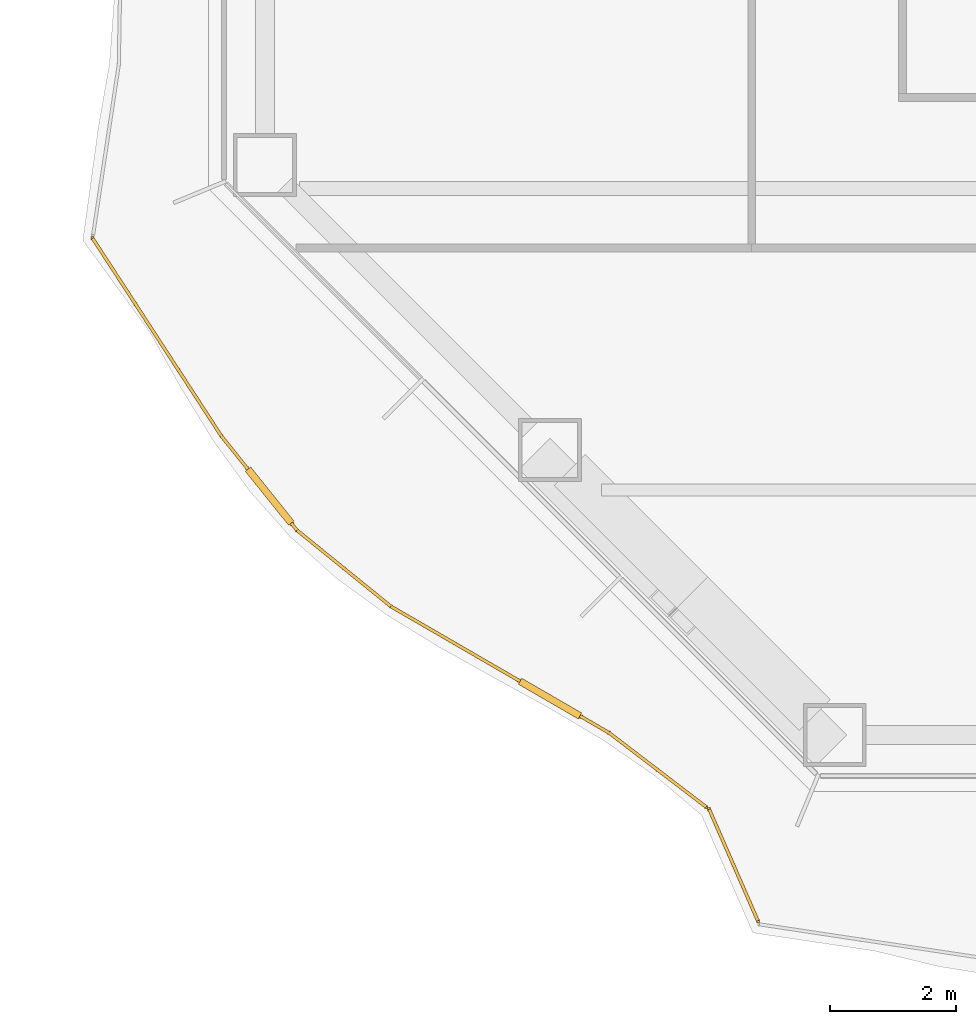
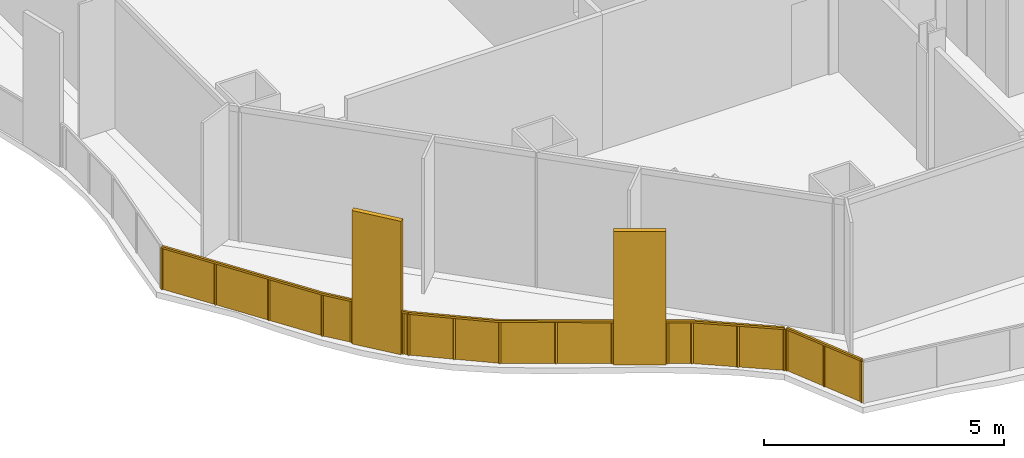
# One storey, part 15 of 21: 2 railings.
"""IFC4 building model written with IfcOpenShell, lengths in metres."""

import ifcopenshell
import ifcopenshell.guid

model = None  # the IFC model being written
_history = None  # IfcOwnerHistory: only IFC2X3 demands one
_inside = {}  # id of a spatial element -> (the spatial element, [elements in it])
_under = {}  # id of a project, library or spatial element -> (it, [spatial elements below it])
_declared = {}  # id of a project -> (the project, [libraries it declares])
_typed = {}  # id of a type object -> (the type object, [elements of that type])
_made_of = {}  # id of a material, layer set ... -> (it, [elements and type objects made of it])


def new_model(schema):
    """Start an empty IFC model of exactly this schema.

    Asked for "IFC4X3", IfcOpenShell would pick the latest addendum, in which some entities
    have other attributes; the version numbers below select the first issue.
    IFC2X3 requires an IfcOwnerHistory on every rooted entity: one is made here for all.
    """
    global model, _history
    if schema == "IFC4X3":
        model = ifcopenshell.file(schema_version=(4, 3, 0, 0))
    else:
        model = ifcopenshell.file(schema=schema)
    _inside.clear()
    _under.clear()
    _declared.clear()
    _typed.clear()
    _made_of.clear()
    _history = None
    if model.schema == "IFC2X3":
        org = make("IfcOrganization", Name="unknown")
        user = make(
            "IfcPersonAndOrganization",
            ThePerson=make("IfcPerson", FamilyName="unknown"),
            TheOrganization=org,
        )
        app = make(
            "IfcApplication",
            ApplicationDeveloper=org,
            Version="unknown",
            ApplicationFullName="unknown",
            ApplicationIdentifier="unknown",
        )
        _history = make(
            "IfcOwnerHistory",
            OwningUser=user,
            OwningApplication=app,
            ChangeAction="ADDED",
            CreationDate=0,
        )
    return model


def make(cls, **values):
    """One entity of the class cls with the attributes given. An attribute that is None is left unset."""
    return model.create_entity(
        cls, **{name: value for name, value in values.items() if value is not None}
    )


def rooted(cls, **values):
    """An entity with a GlobalId (a new one), such as an element, a storey or a relation."""
    return make(cls, GlobalId=ifcopenshell.guid.new(), OwnerHistory=_history, **values)


def si_unit(unit_type, name, prefix=None):
    """IfcSIUnit, for example si_unit("LENGTHUNIT", "METRE", prefix="MILLI")."""
    return make("IfcSIUnit", UnitType=unit_type, Prefix=prefix, Name=name)


def assignment(units):
    """IfcUnitAssignment: the units of a project."""
    return None if units is None else make("IfcUnitAssignment", Units=units)


def point(xyz):
    """IfcCartesianPoint."""
    return None if xyz is None else make("IfcCartesianPoint", Coordinates=xyz)


def direction(xyz):
    """IfcDirection."""
    return None if xyz is None else make("IfcDirection", DirectionRatios=xyz)


def frame(location, z_axis=None, x_axis=None):
    """IfcAxis2Placement3D, a coordinate frame: its origin and axes. An axis left out is left unset."""
    return make(
        "IfcAxis2Placement3D",
        Location=point(location),
        Axis=direction(z_axis),
        RefDirection=direction(x_axis),
    )


def frame_2d(location, x_axis=None):
    """IfcAxis2Placement2D, a coordinate frame in the plane: its origin and x axis."""
    return make(
        "IfcAxis2Placement2D", Location=point(location), RefDirection=direction(x_axis)
    )


def origin():
    """The frame at (0, 0, 0) with its axes left unset."""
    return frame((0.0, 0.0, 0.0))


def origin_2d():
    """The frame at (0, 0) in the plane with its x axis left unset."""
    return frame_2d((0.0, 0.0))


def place(relative_to, where):
    """IfcLocalPlacement: puts the frame where relative to a parent placement (None: the world)."""
    return make(
        "IfcLocalPlacement", PlacementRelTo=relative_to, RelativePlacement=where
    )


def context(
    kind, dimensions, precision=None, world=None, true_north=None, identifier=None
):
    """IfcGeometricRepresentationContext, for example the 3D "Model" context."""
    return make(
        "IfcGeometricRepresentationContext",
        ContextIdentifier=identifier,
        ContextType=kind,
        CoordinateSpaceDimension=dimensions,
        Precision=precision,
        WorldCoordinateSystem=world,
        TrueNorth=true_north,
    )


def subcontext(parent, identifier, kind, view, scale=None):
    """IfcGeometricRepresentationSubContext, for example "Body" below "Model"."""
    return make(
        "IfcGeometricRepresentationSubContext",
        ContextIdentifier=identifier,
        ContextType=kind,
        ParentContext=parent,
        TargetScale=scale,
        TargetView=view,
    )


def project(units=None, contexts=None):
    """IfcProject with its units and contexts."""
    return rooted(
        "IfcProject",
        Name="project",
        RepresentationContexts=contexts,
        UnitsInContext=assignment(units),
    )


def spatial(cls, under=None, at=None, **own):
    """A site, building, storey or space (cls), placed at a placement, below another one or the project."""
    s = rooted(cls, ObjectPlacement=at, **own)
    if under is not None:
        _under.setdefault(under.id(), (under, []))[1].append(s)
    return s


def polyline(points):
    """IfcPolyline through the points."""
    return make("IfcPolyline", Points=[point(p) for p in points])


def profile(cls, at=None, kind="AREA", **sizes):
    """A parametric profile (cls). Its sizes go by their IFC names, for example OverallWidth=200.0."""
    return make(cls, ProfileType=kind, Position=at, **sizes)


def rectangle(**sizes):
    """IfcRectangleProfileDef."""
    return profile("IfcRectangleProfileDef", **sizes)


def outline(outer, holes=None, kind="AREA"):
    """IfcArbitraryClosedProfileDef: a profile drawn as a closed curve; with holes, ...WithVoids."""
    if holes is None:
        return make("IfcArbitraryClosedProfileDef", ProfileType=kind, OuterCurve=outer)
    return make(
        "IfcArbitraryProfileDefWithVoids",
        ProfileType=kind,
        OuterCurve=outer,
        InnerCurves=holes,
    )


def extrude(swept, where, along, depth):
    """IfcExtrudedAreaSolid: the profile swept, set in the frame where, extruded along a direction by depth."""
    return make(
        "IfcExtrudedAreaSolid",
        SweptArea=swept,
        Position=where,
        ExtrudedDirection=direction(along),
        Depth=depth,
    )


def shape(context_of_items, identifier, shape_type, items):
    """IfcShapeRepresentation: the items that make up one representation, for example the "Body"."""
    return make(
        "IfcShapeRepresentation",
        ContextOfItems=context_of_items,
        RepresentationIdentifier=identifier,
        RepresentationType=shape_type,
        Items=items,
    )


def material(Name=None, Category=None):
    """IfcMaterial."""
    return make("IfcMaterial", Name=Name, Category=Category)


def made_of(thing, what):
    """Note that an element or type object is made of a material, layer set ...; save() writes the relation."""
    if what is not None:
        _made_of.setdefault(what.id(), (what, []))[1].append(thing)
    return thing


def type_object(cls, material=None, **own):
    """A type object (cls), such as IfcWallType, which elements share."""
    return made_of(rooted(cls, **own), material)


def element(
    cls,
    number,
    at=None,
    inside=None,
    cuts=None,
    type_object=None,
    material=None,
    context=None,
    identifier="Body",
    shape_type=None,
    held_by="IfcProductDefinitionShape",
    body=None,
    shapes=None,
    **own,
):
    """One element of the class cls, such as IfcWall. Its Tag is "e" and its number.

    at: its placement. inside: the storey or other place that contains it. cuts: it is an
    opening in that element (IfcRelVoidsElement). A single representation is given by context,
    identifier, shape_type and body (its items); several are given by shapes. held_by: the class
    of the entity that holds the representations. save() writes the other relations.
    """
    e = rooted(cls, Tag="e%d" % number, ObjectPlacement=at, **own)
    if body is not None:
        shapes = [shape(context, identifier, shape_type, body)]
    if shapes is not None:
        e.Representation = make(held_by, Representations=shapes)
    if inside is not None:
        _inside.setdefault(inside.id(), (inside, []))[1].append(e)
    if cuts is not None:
        rooted(
            "IfcRelVoidsElement", RelatingBuildingElement=cuts, RelatedOpeningElement=e
        )
    if type_object is not None:
        _typed.setdefault(type_object.id(), (type_object, []))[1].append(e)
    return made_of(e, material)


def aggregate(whole, parts):
    """IfcRelAggregates: a whole, such as a stair, and the parts it consists of."""
    return rooted("IfcRelAggregates", RelatingObject=whole, RelatedObjects=parts)


def save(model, path):
    """Write the relations noted so far, then the file.

    IfcRelAggregates (storeys below a building ...), IfcRelContainedInSpatialStructure (elements
    in a storey), IfcRelDefinesByType, IfcRelAssociatesMaterial and IfcRelDeclares: one each for
    every whole, place, type object, material and project.
    """
    for whole, parts in _under.values():
        aggregate(whole, parts)
    for where, things in _inside.values():
        rooted(
            "IfcRelContainedInSpatialStructure",
            RelatedElements=things,
            RelatingStructure=where,
        )
    for kind, things in _typed.values():
        rooted("IfcRelDefinesByType", RelatedObjects=things, RelatingType=kind)
    for what, things in _made_of.values():
        rooted("IfcRelAssociatesMaterial", RelatedObjects=things, RelatingMaterial=what)
    for by, libraries in _declared.values():
        rooted("IfcRelDeclares", RelatingContext=by, RelatedDefinitions=libraries)
    model.write(path)


model = new_model("IFC4")

# Units and contexts
model_context = context("Model", 3, precision=1e-05, world=origin(), true_north=direction((0.0, 1.0)))
body_context = subcontext(model_context, "Body", "Model", "MODEL_VIEW")
ifc_project = project(units=[si_unit("LENGTHUNIT", "METRE"), si_unit("AREAUNIT", "SQUARE_METRE"), si_unit("VOLUMEUNIT", "CUBIC_METRE"), si_unit("PLANEANGLEUNIT", "RADIAN"), si_unit("MASSUNIT", "GRAM", prefix="KILO")], contexts=[model_context])

# Site, building, storey
site_placement = place(None, origin())
site = spatial("IfcSite", under=ifc_project, at=site_placement, CompositionType="ELEMENT")
building_placement = place(site_placement, origin())
building = spatial("IfcBuilding", under=site, at=building_placement, Name="Cairn Pilgrim Tower", CompositionType="ELEMENT")
storey_placement = place(building_placement, frame((0.0, 0.0, 43.800048828125)))
storey = spatial("IfcBuildingStorey", under=building, at=storey_placement, Name="L08", CompositionType="ELEMENT", Elevation=43.800048828125)

# Railings
ifc_material_1 = material(Name="Bronze anodised aluminium rail and posts with laminated glass infill", Category="aluminium")
railing_type_1 = type_object("IfcRailingType", Name="BALCONY GUARD 1100", PredefinedType="GUARDRAIL", material=ifc_material_1)
railing_1_placement = place(storey_placement, frame((-20.827392578125, -24.2822265625, 0.0)))
element("IfcRailing", 1, at=railing_1_placement, inside=storey, type_object=railing_type_1, Name="Balcony guard BG-9", PredefinedType="GUARDRAIL", context=body_context, shape_type="SweptSolid", body=[
    extrude(rectangle(XDim=0.050048828125, YDim=0.050048828125, at=origin_2d()), frame((0.0, 0.0, 1.0751953125), z_axis=(0.40006562225, -0.916486496297, 0.0), x_axis=(0.916486496297, 0.40006562225, 0.0)), (0.0, 0.0, 1.0), 1.938720703125),
    extrude(rectangle(XDim=0.050048828125, YDim=0.050048828125, at=origin_2d()), origin(), (0.0, 0.0, 1.0), 1.050048828125),
    extrude(rectangle(XDim=0.050048828125, YDim=0.050048828125, at=origin_2d()), frame((0.3876953125, -0.888427734375, 0.0)), (0.0, 0.0, 1.0), 1.050048828125),
    extrude(rectangle(XDim=0.050048828125, YDim=0.050048828125, at=origin_2d()), frame((0.775634765625, -1.77685546875, 0.0)), (0.0, 0.0, 1.0), 1.050048828125),
    extrude(outline(polyline([(0.02490234375, 0.0), (0.9443359375, 0.0), (0.9443359375, 1.050048828125), (0.02490234375, 1.050048828125), (0.02490234375, 0.0)])), frame((0.00537109375, 0.00244140625, 0.0), z_axis=(-0.916486496297, -0.40006562225, 0.0), x_axis=(0.40006562225, -0.916486496297, 0.0)), (0.0, 0.0, 1.0), 0.011962890625),
    extrude(outline(polyline([(0.02490234375, 0.0), (0.9443359375, 0.0), (0.9443359375, 1.050048828125), (0.02490234375, 1.050048828125), (0.02490234375, 0.0)])), frame((0.393310546875, -0.885986328125, 0.0), z_axis=(-0.916486496297, -0.40006562225, 0.0), x_axis=(0.40006562225, -0.916486496297, 0.0)), (0.0, 0.0, 1.0), 0.011962890625),
])
ifc_material_2 = material(Name="Bronze anodised aluminium rail, posts and fin screens with laminated glass infill", Category="aluminium")
railing_type_2 = type_object("IfcRailingType", Name="BALCONY GUARD WITH FIN SCREENS", PredefinedType="GUARDRAIL", material=ifc_material_2)
railing_2_placement = place(storey_placement, frame((-30.6416015625, -15.19384765625, 0.0)))
element("IfcRailing", 2, at=railing_2_placement, inside=storey, type_object=railing_type_2, Name="Balcony guard BGF-8 with fin screens", PredefinedType="GUARDRAIL", context=body_context, shape_type="SweptSolid", body=[
    extrude(rectangle(XDim=0.050048828125, YDim=0.050048828125, at=origin_2d()), frame((0.0, 0.0, 1.0751953125), z_axis=(0.545634945051, -0.838022975067, 0.0), x_axis=(0.838022975067, 0.545634945051, 0.0)), (0.0, 0.0, 1.0), 3.7548828125),
    extrude(rectangle(XDim=1.10009765625, YDim=0.110107421875, at=origin_2d()), frame((2.817626953125, -4.10400390625, 0.0), z_axis=(0.0, 0.0, 1.0), x_axis=(0.626176698238, -0.779681180088, 0.0)), (0.0, 0.0, 1.0), 3.39990234375),
    extrude(rectangle(XDim=0.050048828125, YDim=0.050048828125, at=origin_2d()), frame((2.048828125, -3.146728515625, 1.0751953125), z_axis=(0.626176698238, -0.779681180088, 0.0), x_axis=(0.779681180088, 0.626176698238, 0.0)), (0.0, 0.0, 1.0), 0.677734375),
    extrude(rectangle(XDim=0.050048828125, YDim=0.050048828125, at=origin_2d()), frame((3.161865234375, -4.53271484375, 1.0751953125), z_axis=(0.626176698238, -0.779681180088, 0.0), x_axis=(0.779681180088, 0.626176698238, 0.0)), (0.0, 0.0, 1.0), 0.14990234375),
    extrude(rectangle(XDim=0.050048828125, YDim=0.050048828125, at=origin_2d()), frame((3.255859375, -4.649658203125, 1.0751953125), z_axis=(0.776812842699, -0.629731535988, 0.0), x_axis=(0.629731535988, 0.776812842699, 0.0)), (0.0, 0.0, 1.0), 1.922119140625),
    extrude(rectangle(XDim=1.10009765625, YDim=0.110107421875, at=origin_2d()), frame((7.281005859375, -7.32666015625, 0.0), z_axis=(0.0, 0.0, 1.0), x_axis=(0.865310997869, -0.501235350875, 0.0)), (0.0, 0.0, 1.0), 3.39990234375),
    extrude(rectangle(XDim=0.050048828125, YDim=0.050048828125, at=origin_2d()), frame((4.7490234375, -5.860107421875, 1.0751953125), z_axis=(0.865310997869, -0.501235350875, 0.0), x_axis=(0.501235350875, 0.865310997869, 0.0)), (0.0, 0.0, 1.0), 2.3759765625),
    extrude(rectangle(XDim=0.050048828125, YDim=0.050048828125, at=origin_2d()), frame((7.7568359375, -7.6025390625, 1.0751953125), z_axis=(0.865310997869, -0.501235350875, 0.0), x_axis=(0.501235350875, 0.865310997869, 0.0)), (0.0, 0.0, 1.0), 0.535888671875),
    extrude(rectangle(XDim=0.050048828125, YDim=0.050048828125, at=origin_2d()), frame((8.220703125, -7.87109375, 1.0751953125), z_axis=(0.794667643991, -0.607044755841, 0.0), x_axis=(0.607044755841, 0.794667643991, 0.0)), (0.0, 0.0, 1.0), 1.9453125),
    extrude(rectangle(XDim=0.050048828125, YDim=0.050048828125, at=origin_2d()), origin(), (0.0, 0.0, 1.0), 1.050048828125),
    extrude(rectangle(XDim=0.050048828125, YDim=0.050048828125, at=origin_2d()), frame((0.682861328125, -1.048828125, 0.0)), (0.0, 0.0, 1.0), 1.050048828125),
    extrude(rectangle(XDim=0.050048828125, YDim=0.050048828125, at=origin_2d()), frame((1.365966796875, -2.097900390625, 0.0)), (0.0, 0.0, 1.0), 1.050048828125),
    extrude(rectangle(XDim=0.050048828125, YDim=0.050048828125, at=origin_2d()), frame((2.048828125, -3.146728515625, 0.0)), (0.0, 0.0, 1.0), 1.050048828125),
    extrude(rectangle(XDim=0.050048828125, YDim=0.050048828125, at=origin_2d()), frame((2.45751953125, -3.655517578125, 0.0)), (0.0, 0.0, 1.0), 1.050048828125),
    extrude(rectangle(XDim=0.050048828125, YDim=0.050048828125, at=origin_2d()), frame((3.177734375, -4.55224609375, 0.0)), (0.0, 0.0, 1.0), 1.050048828125),
    extrude(rectangle(XDim=0.050048828125, YDim=0.050048828125, at=origin_2d()), frame((3.255859375, -4.649658203125, 0.0)), (0.0, 0.0, 1.0), 1.050048828125),
    extrude(rectangle(XDim=0.050048828125, YDim=0.050048828125, at=origin_2d()), frame((4.00244140625, -5.2548828125, 0.0)), (0.0, 0.0, 1.0), 1.050048828125),
    extrude(rectangle(XDim=0.050048828125, YDim=0.050048828125, at=origin_2d()), frame((4.7490234375, -5.860107421875, 0.0)), (0.0, 0.0, 1.0), 1.050048828125),
    extrude(rectangle(XDim=0.050048828125, YDim=0.050048828125, at=origin_2d()), frame((5.76611328125, -6.44921875, 0.0)), (0.0, 0.0, 1.0), 1.050048828125),
    extrude(rectangle(XDim=0.050048828125, YDim=0.050048828125, at=origin_2d()), frame((6.783447265625, -7.03857421875, 0.0)), (0.0, 0.0, 1.0), 1.050048828125),
    extrude(rectangle(XDim=0.050048828125, YDim=0.050048828125, at=origin_2d()), frame((7.778564453125, -7.614990234375, 0.0)), (0.0, 0.0, 1.0), 1.050048828125),
    extrude(rectangle(XDim=0.050048828125, YDim=0.050048828125, at=origin_2d()), frame((8.220703125, -7.87109375, 0.0)), (0.0, 0.0, 1.0), 1.050048828125),
    extrude(rectangle(XDim=0.050048828125, YDim=0.050048828125, at=origin_2d()), frame((8.99365234375, -8.46142578125, 0.0)), (0.0, 0.0, 1.0), 1.050048828125),
    extrude(rectangle(XDim=0.050048828125, YDim=0.050048828125, at=origin_2d()), frame((9.7666015625, -9.052001953125, 0.0)), (0.0, 0.0, 1.0), 1.050048828125),
    extrude(outline(polyline([(0.02490234375, 0.0), (1.2265625, 0.0), (1.2265625, 1.050048828125), (0.02490234375, 1.050048828125), (0.02490234375, 0.0)])), frame((0.005126953125, 0.003173828125, 0.0), z_axis=(-0.838022975067, -0.545634945051, 0.0), x_axis=(0.545634945051, -0.838022975067, 0.0)), (0.0, 0.0, 1.0), 0.011962890625),
    extrude(outline(polyline([(0.02490234375, 0.0), (1.2265625, 0.0), (1.2265625, 1.050048828125), (0.02490234375, 1.050048828125), (0.02490234375, 0.0)])), frame((0.68798828125, -1.045654296875, 0.0), z_axis=(-0.838022975067, -0.545634945051, 0.0), x_axis=(0.545634945051, -0.838022975067, 0.0)), (0.0, 0.0, 1.0), 0.011962890625),
    extrude(outline(polyline([(0.02490234375, 0.0), (1.2265625, 0.0), (1.2265625, 1.050048828125), (0.02490234375, 1.050048828125), (0.02490234375, 0.0)])), frame((1.370849609375, -2.094482421875, 0.0), z_axis=(-0.838022975067, -0.545634945051, 0.0), x_axis=(0.545634945051, -0.838022975067, 0.0)), (0.0, 0.0, 1.0), 0.011962890625),
    extrude(outline(polyline([(0.02490234375, 0.0), (0.627685546875, 0.0), (0.627685546875, 1.050048828125), (0.02490234375, 1.050048828125), (0.02490234375, 0.0)])), frame((2.053466796875, -3.14306640625, 0.0), z_axis=(-0.779681180088, -0.626176698238, 0.0), x_axis=(0.626176698238, -0.779681180088, 0.0)), (0.0, 0.0, 1.0), 0.011962890625),
    extrude(outline(polyline([(0.02490234375, 0.0), (0.099853515625, 0.0), (0.099853515625, 1.050048828125), (0.02490234375, 1.050048828125), (0.02490234375, 0.0)])), frame((3.182373046875, -4.548583984375, 0.0), z_axis=(-0.779681180088, -0.626176698238, 0.0), x_axis=(0.626176698238, -0.779681180088, 0.0)), (0.0, 0.0, 1.0), 0.011962890625),
    extrude(outline(polyline([(0.02490234375, 0.0), (0.93603515625, 0.0), (0.93603515625, 1.050048828125), (0.02490234375, 1.050048828125), (0.02490234375, 0.0)])), frame((3.259521484375, -4.64501953125, 0.0), z_axis=(-0.629731535988, -0.776812842699, 0.0), x_axis=(0.776812842699, -0.629731535988, 0.0)), (0.0, 0.0, 1.0), 0.011962890625),
    extrude(outline(polyline([(0.02490234375, 0.0), (0.93603515625, 0.0), (0.93603515625, 1.050048828125), (0.02490234375, 1.050048828125), (0.02490234375, 0.0)])), frame((4.006103515625, -5.250244140625, 0.0), z_axis=(-0.629731535988, -0.776812842699, 0.0), x_axis=(0.776812842699, -0.629731535988, 0.0)), (0.0, 0.0, 1.0), 0.011962890625),
    extrude(outline(polyline([(0.02490234375, 0.0), (1.150390625, 0.0), (1.150390625, 1.050048828125), (0.02490234375, 1.050048828125), (0.02490234375, 0.0)])), frame((4.751953125, -5.85498046875, 0.0), z_axis=(-0.501235350875, -0.865310997869, 0.0), x_axis=(0.865310997869, -0.501235350875, 0.0)), (0.0, 0.0, 1.0), 0.011962890625),
    extrude(outline(polyline([(0.02490234375, 0.0), (1.150390625, 0.0), (1.150390625, 1.050048828125), (0.02490234375, 1.050048828125), (0.02490234375, 0.0)])), frame((5.769287109375, -6.444091796875, 0.0), z_axis=(-0.501235350875, -0.865310997869, 0.0), x_axis=(0.865310997869, -0.501235350875, 0.0)), (0.0, 0.0, 1.0), 0.011962890625),
    extrude(outline(polyline([(0.02490234375, 0.0), (0.48583984375, 0.0), (0.48583984375, 1.050048828125), (0.02490234375, 1.050048828125), (0.02490234375, 0.0)])), frame((7.781494140625, -7.60986328125, 0.0), z_axis=(-0.501235350875, -0.865310997869, 0.0), x_axis=(0.865310997869, -0.501235350875, 0.0)), (0.0, 0.0, 1.0), 0.011962890625),
    extrude(outline(polyline([(0.02490234375, 0.0), (0.94775390625, 0.0), (0.94775390625, 1.050048828125), (0.02490234375, 1.050048828125), (0.02490234375, 0.0)])), frame((8.224365234375, -7.866455078125, 0.0), z_axis=(-0.607044755841, -0.794667643991, 0.0), x_axis=(0.794667643991, -0.607044755841, 0.0)), (0.0, 0.0, 1.0), 0.011962890625),
    extrude(outline(polyline([(0.02490234375, 0.0), (0.94775390625, 0.0), (0.94775390625, 1.050048828125), (0.02490234375, 1.050048828125), (0.02490234375, 0.0)])), frame((8.997314453125, -8.456787109375, 0.0), z_axis=(-0.607044755841, -0.794667643991, 0.0), x_axis=(0.794667643991, -0.607044755841, 0.0)), (0.0, 0.0, 1.0), 0.011962890625),
])

save(model, "model.ifc")
